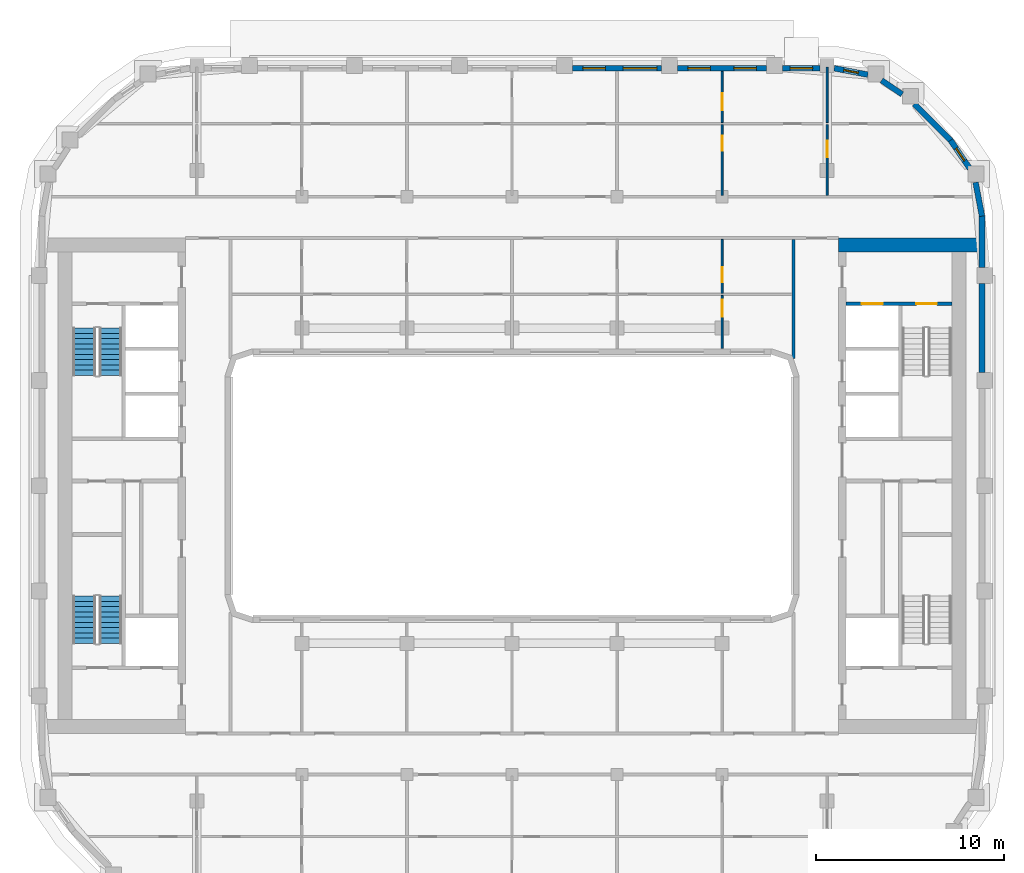
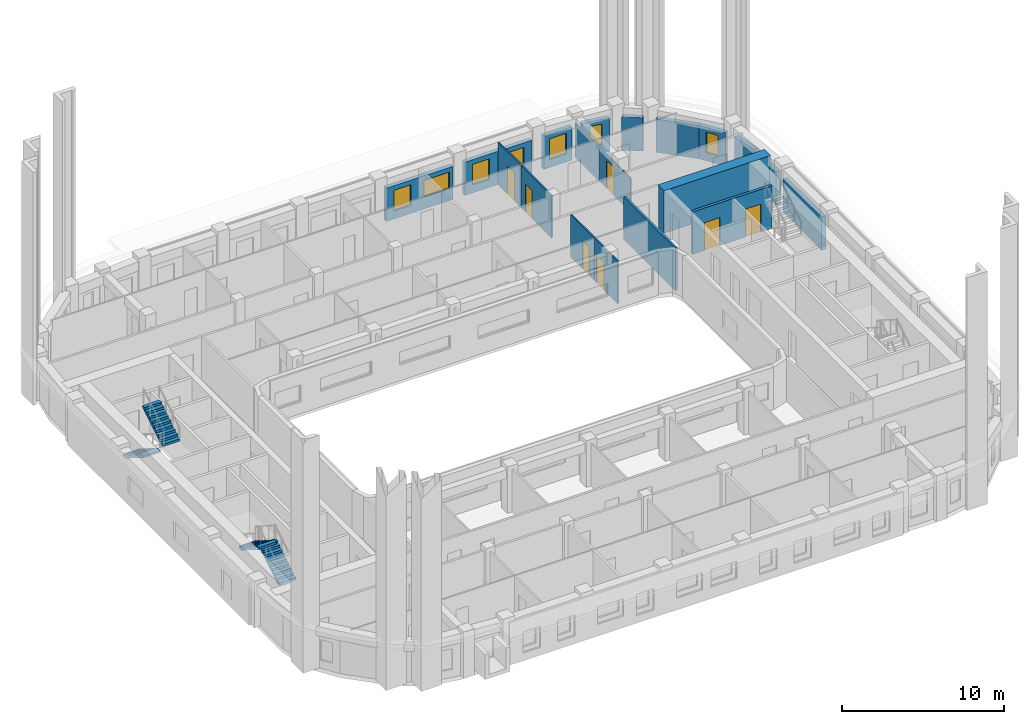
# One storey, part 8 of 21: 19 walls, 7 doors, 7 windows, 4 stair flights, 14 openings, 2 elements without a shape of their own.
"""IFC4 building model written with IfcOpenShell, lengths in metres."""

from ifc_helpers import new_model, si_unit, direction, frame, frame_2d, origin, place, context, subcontext, project, spatial, polyline, rectangle, outline, extrude, material, layer, layer_set, type_object, element, fill, aggregate, save


model = new_model("IFC4")

# Units and contexts
model_context = context("Model", 3, precision=1e-05, world=origin(), true_north=direction((0.0, 1.0)))
body_context = subcontext(model_context, "Body", "Model", "MODEL_VIEW")
ifc_project = project(units=[si_unit("LENGTHUNIT", "METRE"), si_unit("AREAUNIT", "SQUARE_METRE"), si_unit("VOLUMEUNIT", "CUBIC_METRE"), si_unit("PLANEANGLEUNIT", "RADIAN"), si_unit("MASSUNIT", "GRAM", prefix="KILO")], contexts=[model_context])

# Site, building, storey
site_placement = place(None, origin())
site = spatial("IfcSite", under=ifc_project, at=site_placement, CompositionType="ELEMENT")
building_placement = place(site_placement, origin())
building = spatial("IfcBuilding", under=site, at=building_placement, Name="Kiln Ring Residences", CompositionType="ELEMENT")
storey_placement = place(building_placement, frame((0.0, 0.0, 213.39990234375)))
storey = spatial("IfcBuildingStorey", under=building, at=storey_placement, Name="L55", CompositionType="ELEMENT", Elevation=213.39990234375)

# Wall, openings, doors
ifc_material_1 = material(Name="Concrete C40/50", Category="concrete")
ifc_layer_1 = layer(ifc_material_1, 0.199951171875)
ifc_layer_set_1 = layer_set([ifc_layer_1], Name="CORE-WALL-RC200")
wall_type_1 = type_object("IfcWallType", Name="CORE-WALL-RC200", PredefinedType="SHEAR", material=ifc_layer_set_1)
wall_1_placement = place(storey_placement, frame((17.800048828125, 9.699951171875, 0.0), z_axis=(0.0, 0.0, 1.0), x_axis=(1.0, 0.0, 0.0)))
wall_1 = element("IfcWall", 1, at=wall_1_placement, inside=storey, type_object=wall_type_1, Name="Core wall east L55 9", PredefinedType="SHEAR", context=body_context, shape_type="SweptSolid", body=[
    extrude(rectangle(XDim=5.64990234375, YDim=0.199951171875, at=frame_2d((2.824951171875, 0.0))), origin(), (0.0, 0.0, 1.0), 3.2001953125),
])
opening_1_placement = place(wall_1_placement, frame((0.85009765625, 0.0, 0.0)))
opening_1 = element("IfcOpeningElement", 2, at=opening_1_placement, cuts=wall_1, Name="Opening L55-CE06", PredefinedType="OPENING", context=body_context, shape_type="SweptSolid", body=[
    extrude(rectangle(XDim=1.10009765625, YDim=2.10009765625, at=frame_2d((0.550048828125, 1.050048828125))), frame((0.0, 0.10986328125, 0.0), z_axis=(0.0, -1.0, 0.0), x_axis=(1.0, 0.0, 0.0)), (0.0, 0.0, 1.0), 0.219970703125),
])
opening_2_placement = place(wall_1_placement, frame((3.75, 0.0, 0.0)))
opening_2 = element("IfcOpeningElement", 3, at=opening_2_placement, cuts=wall_1, Name="Opening L55-CE09", PredefinedType="OPENING", context=body_context, shape_type="SweptSolid", body=[
    extrude(rectangle(XDim=1.10009765625, YDim=2.10009765625, at=frame_2d((0.550048828125, 1.050048828125))), frame((0.0, 0.10986328125, 0.0), z_axis=(0.0, -1.0, 0.0), x_axis=(1.0, 0.0, 0.0)), (0.0, 0.0, 1.0), 0.219970703125),
])
ifc_material_2 = material(Name="Steel door leaf", Category="steel")
door_type_1 = type_object("IfcDoorType", Name="CORE-DOOR-LD", OperationType="DOUBLE_DOOR_SLIDING", PredefinedType="DOOR", material=ifc_material_2)
door_1_placement = place(opening_1_placement, origin())
door_1 = element("IfcDoor", 4, at=door_1_placement, inside=storey, type_object=door_type_1, Name="LD E-FF L55-CE06", OperationType="DOUBLE_DOOR_SLIDING", OverallHeight=2.10009765625, OverallWidth=1.10009765625, PredefinedType="DOOR", context=body_context, shape_type="SweptSolid", body=[
    extrude(rectangle(XDim=1.10009765625, YDim=2.10009765625, at=frame_2d((0.550048828125, 1.050048828125))), frame((0.0, 0.02490234375, 0.0), z_axis=(0.0, -1.0, 0.0), x_axis=(1.0, 0.0, 0.0)), (0.0, 0.0, 1.0), 0.050048828125),
])
fill(opening_1, door_1)
ifc_material_3 = material(Name="Steel door leaf", Category="steel")
door_type_2 = type_object("IfcDoorType", Name="CORE-DOOR-STAIR", OperationType="SINGLE_SWING_LEFT", PredefinedType="DOOR", material=ifc_material_3)
door_2_placement = place(opening_2_placement, origin())
door_2 = element("IfcDoor", 5, at=door_2_placement, inside=storey, type_object=door_type_2, Name="Stair E-STN L55-CE09", OperationType="SINGLE_SWING_RIGHT", OverallHeight=2.10009765625, OverallWidth=1.10009765625, PredefinedType="DOOR", context=body_context, shape_type="SweptSolid", body=[
    extrude(rectangle(XDim=1.10009765625, YDim=2.10009765625, at=frame_2d((0.550048828125, 1.050048828125))), frame((0.0, 0.02490234375, 0.0), z_axis=(0.0, -1.0, 0.0), x_axis=(1.0, 0.0, 0.0)), (0.0, 0.0, 1.0), 0.050048828125),
])
fill(opening_2, door_2)

# Walls
ifc_material_4 = material(Name="Concrete C60/75", Category="concrete")
ifc_layer_2 = layer(ifc_material_4, 0.75)
ifc_layer_set_2 = layer_set([ifc_layer_2], Name="CORE-WALL-RC750")
wall_type_2 = type_object("IfcWallType", Name="CORE-WALL-RC750", PredefinedType="SHEAR", material=ifc_layer_set_2)
wall_2_placement = place(storey_placement, frame((17.39990234375, 12.824951171875, 0.0), z_axis=(0.0, 0.0, 1.0), x_axis=(1.0, 0.0, 0.0)))
element("IfcWall", 6, at=wall_2_placement, inside=storey, type_object=wall_type_2, Name="Core wall east L55 4", PredefinedType="SHEAR", context=body_context, shape_type="SweptSolid", body=[
    extrude(rectangle(XDim=7.60009765625, YDim=0.75, at=frame_2d((3.800048828125, 0.0))), origin(), (0.0, 0.0, 1.0), 3.2001953125),
])
ifc_material_5 = material(Name="Brick masonry, dark clay brick", Category="masonry")
ifc_layer_3 = layer(ifc_material_5, 0.300048828125)
ifc_layer_set_3 = layer_set([ifc_layer_3], Name="EW-300 BRICK WALL")
wall_type_3 = type_object("IfcWallType", Name="EW-300 BRICK WALL", PredefinedType="SOLIDWALL", material=ifc_layer_set_3)
wall_3_placement = place(storey_placement, frame((25.050048828125, 6.02490234375, 0.0), z_axis=(0.0, 0.0, 1.0), x_axis=(0.0, 1.0, 0.0)))
element("IfcWall", 7, at=wall_3_placement, inside=storey, type_object=wall_type_3, Name="Facade wall L55 20", PredefinedType="SOLIDWALL", context=body_context, shape_type="SweptSolid", body=[
    extrude(rectangle(XDim=4.75, YDim=0.300048828125, at=frame_2d((2.375, 0.0))), origin(), (0.0, 0.0, 1.0), 2.5),
])
wall_4_placement = place(storey_placement, frame((25.050048828125, 11.625, 0.0), z_axis=(0.0, 0.0, 1.0), x_axis=(0.0, 1.0, 0.0)))
element("IfcWall", 8, at=wall_4_placement, inside=storey, type_object=wall_type_3, Name="Facade wall L55 21", PredefinedType="SOLIDWALL", context=body_context, shape_type="SweptSolid", body=[
    extrude(rectangle(XDim=2.77490234375, YDim=0.300048828125, at=frame_2d((1.387451171875, 0.0))), origin(), (0.0, 0.0, 1.0), 2.5),
])
wall_5_placement = place(storey_placement, frame((25.052734375, 14.371826171875, 0.0), z_axis=(0.0, 0.0, 1.0), x_axis=(-0.187442908742, 0.982275499014, 0.0)))
element("IfcWall", 9, at=wall_5_placement, inside=storey, type_object=wall_type_3, Name="Facade wall L55 22", PredefinedType="SOLIDWALL", context=body_context, shape_type="SweptSolid", body=[
    extrude(rectangle(XDim=1.831298828125, YDim=0.300048828125, at=frame_2d((0.91552734375, 0.0))), origin(), (0.0, 0.0, 1.0), 2.5),
])

# Wall, opening, window
wall_6_placement = place(storey_placement, frame((24.408203125, 16.898193359375, 0.0), z_axis=(0.0, 0.0, 1.0), x_axis=(-0.562062033417, 0.827095079535, 0.0)))
wall_6 = element("IfcWall", 10, at=wall_6_placement, inside=storey, type_object=wall_type_3, Name="Facade wall L55 23", PredefinedType="SOLIDWALL", context=body_context, shape_type="SweptSolid", body=[
    extrude(rectangle(XDim=1.831298828125, YDim=0.300048828125, at=frame_2d((0.91552734375, 0.0))), origin(), (0.0, 0.0, 1.0), 2.5),
])
opening_3_placement = place(wall_6_placement, frame((0.515625, 0.0, 0.60009765625)))
opening_3 = element("IfcOpeningElement", 11, at=opening_3_placement, cuts=wall_6, Name="Opening W5", PredefinedType="OPENING", context=body_context, shape_type="SweptSolid", body=[
    extrude(rectangle(XDim=0.800048828125, YDim=1.550048828125, at=frame_2d((0.39990234375, 0.77490234375))), frame((0.0, 0.159912109375, 0.0), z_axis=(0.0, -1.0, 0.0), x_axis=(1.0, 0.0, 0.0)), (0.0, 0.0, 1.0), 0.320068359375),
])
ifc_material_6 = material(Name="Aluminium frame with double glazing", Category="aluminium")
window_type_1 = type_object("IfcWindowType", Name="WINDOW 800 x 1550", PartitioningType="SINGLE_PANEL", PredefinedType="WINDOW", material=ifc_material_6)
window_1_placement = place(opening_3_placement, origin())
window_1 = element("IfcWindow", 12, at=window_1_placement, inside=storey, type_object=window_type_1, Name="Window L55 17", OverallHeight=1.550048828125, OverallWidth=0.800048828125, PartitioningType="SINGLE_PANEL", PredefinedType="WINDOW", context=body_context, shape_type="SweptSolid", body=[
    extrude(rectangle(XDim=0.800048828125, YDim=1.550048828125, at=frame_2d((0.39990234375, 0.77490234375))), frame((0.0, 0.030029296875, 0.0), z_axis=(0.0, -1.0, 0.0), x_axis=(1.0, 0.0, 0.0)), (0.0, 0.0, 1.0), 0.06005859375),
])
fill(opening_3, window_1)

# Walls
wall_7_placement = place(storey_placement, frame((23.39697265625, 18.390869140625, 0.0), z_axis=(0.0, 0.0, 1.0), x_axis=(-0.707106781187, 0.707106781187, 0.0)))
element("IfcWall", 13, at=wall_7_placement, inside=storey, type_object=wall_type_3, Name="Facade wall L55 24", PredefinedType="SOLIDWALL", context=body_context, shape_type="SweptSolid", body=[
    extrude(rectangle(XDim=2.775146484375, YDim=0.300048828125, at=frame_2d((1.3876953125, 0.0))), origin(), (0.0, 0.0, 1.0), 2.5),
])
wall_8_placement = place(storey_placement, frame((20.7958984375, 20.862060546875, 0.0), z_axis=(0.0, 0.0, 1.0), x_axis=(-0.827035970432, 0.562149004813, 0.0)))
element("IfcWall", 14, at=wall_8_placement, inside=storey, type_object=wall_type_3, Name="Facade wall L55 25", PredefinedType="SOLIDWALL", context=body_context, shape_type="SweptSolid", body=[
    extrude(rectangle(XDim=1.3271484375, YDim=0.300048828125, at=frame_2d((0.66357421875, 0.0))), origin(), (0.0, 0.0, 1.0), 2.5),
])

# Wall, opening, window
wall_9_placement = place(storey_placement, frame((18.970703125, 21.90966796875, 0.0), z_axis=(0.0, 0.0, 1.0), x_axis=(-0.982300037503, 0.187314271538, 0.0)))
wall_9 = element("IfcWall", 15, at=wall_9_placement, inside=storey, type_object=wall_type_3, Name="Facade wall L55 26", PredefinedType="SOLIDWALL", context=body_context, shape_type="SweptSolid", body=[
    extrude(rectangle(XDim=1.831298828125, YDim=0.300048828125, at=frame_2d((0.91552734375, 0.0))), origin(), (0.0, 0.0, 1.0), 2.5),
])
opening_4_placement = place(wall_9_placement, frame((0.515625, 0.0, 0.60009765625)))
opening_4 = element("IfcOpeningElement", 16, at=opening_4_placement, cuts=wall_9, Name="Opening W5", PredefinedType="OPENING", context=body_context, shape_type="SweptSolid", body=[
    extrude(rectangle(XDim=0.800048828125, YDim=1.550048828125, at=frame_2d((0.39990234375, 0.77490234375))), frame((0.0, 0.159912109375, 0.0), z_axis=(0.0, -1.0, 0.0), x_axis=(1.0, 0.0, 0.0)), (0.0, 0.0, 1.0), 0.320068359375),
])
window_2_placement = place(opening_4_placement, origin())
window_2 = element("IfcWindow", 17, at=window_2_placement, inside=storey, type_object=window_type_1, Name="Window L55 18", OverallHeight=1.550048828125, OverallWidth=0.800048828125, PartitioningType="SINGLE_PANEL", PredefinedType="WINDOW", context=body_context, shape_type="SweptSolid", body=[
    extrude(rectangle(XDim=0.800048828125, YDim=1.550048828125, at=frame_2d((0.39990234375, 0.77490234375))), frame((0.0, 0.030029296875, 0.0), z_axis=(0.0, -1.0, 0.0), x_axis=(1.0, 0.0, 0.0)), (0.0, 0.0, 1.0), 0.06005859375),
])
fill(opening_4, window_2)

wall_10_placement = place(storey_placement, frame((16.425048828125, 22.25, 0.0), z_axis=(0.0, 0.0, 1.0), x_axis=(-1.0, 0.0, 0.0)))
wall_10 = element("IfcWall", 18, at=wall_10_placement, inside=storey, type_object=wall_type_3, Name="Facade wall L55 27", PredefinedType="SOLIDWALL", context=body_context, shape_type="SweptSolid", body=[
    extrude(rectangle(XDim=2.0, YDim=0.300048828125, at=frame_2d((1.0, 0.0))), origin(), (0.0, 0.0, 1.0), 2.5),
])
opening_5_placement = place(wall_10_placement, frame((0.39990234375, 0.0, 0.60009765625)))
opening_5 = element("IfcOpeningElement", 19, at=opening_5_placement, cuts=wall_10, Name="Opening W1", PredefinedType="OPENING", context=body_context, shape_type="SweptSolid", body=[
    extrude(rectangle(XDim=1.199951171875, YDim=1.550048828125, at=frame_2d((0.60009765625, 0.77490234375))), frame((0.0, 0.159912109375, 0.0), z_axis=(0.0, -1.0, 0.0), x_axis=(1.0, 0.0, 0.0)), (0.0, 0.0, 1.0), 0.320068359375),
])
ifc_material_7 = material(Name="Aluminium frame with double glazing", Category="aluminium")
window_type_2 = type_object("IfcWindowType", Name="WINDOW 1200 x 1550", PartitioningType="SINGLE_PANEL", PredefinedType="WINDOW", material=ifc_material_7)
window_3_placement = place(opening_5_placement, origin())
window_3 = element("IfcWindow", 20, at=window_3_placement, inside=storey, type_object=window_type_2, Name="Window L55 19", OverallHeight=1.550048828125, OverallWidth=1.199951171875, PartitioningType="SINGLE_PANEL", PredefinedType="WINDOW", context=body_context, shape_type="SweptSolid", body=[
    extrude(rectangle(XDim=1.199951171875, YDim=1.550048828125, at=frame_2d((0.60009765625, 0.77490234375))), frame((0.0, 0.030029296875, 0.0), z_axis=(0.0, -1.0, 0.0), x_axis=(1.0, 0.0, 0.0)), (0.0, 0.0, 1.0), 0.06005859375),
])
fill(opening_5, window_3)

# Wall, openings, windows
wall_11_placement = place(storey_placement, frame((13.574951171875, 22.25, 0.0), z_axis=(0.0, 0.0, 1.0), x_axis=(-1.0, 0.0, 0.0)))
wall_11 = element("IfcWall", 21, at=wall_11_placement, inside=storey, type_object=wall_type_3, Name="Facade wall L55 28", PredefinedType="SOLIDWALL", context=body_context, shape_type="SweptSolid", body=[
    extrude(rectangle(XDim=4.75, YDim=0.300048828125, at=frame_2d((2.375, 0.0))), origin(), (0.0, 0.0, 1.0), 2.5),
])
opening_6_placement = place(wall_11_placement, frame((0.550048828125, 0.0, 0.60009765625)))
opening_6 = element("IfcOpeningElement", 22, at=opening_6_placement, cuts=wall_11, Name="Opening W1", PredefinedType="OPENING", context=body_context, shape_type="SweptSolid", body=[
    extrude(rectangle(XDim=1.199951171875, YDim=1.550048828125, at=frame_2d((0.60009765625, 0.77490234375))), frame((0.0, 0.159912109375, 0.0), z_axis=(0.0, -1.0, 0.0), x_axis=(1.0, 0.0, 0.0)), (0.0, 0.0, 1.0), 0.320068359375),
])
opening_7_placement = place(wall_11_placement, frame((3.0, 0.0, 0.60009765625)))
opening_7 = element("IfcOpeningElement", 23, at=opening_7_placement, cuts=wall_11, Name="Opening W1", PredefinedType="OPENING", context=body_context, shape_type="SweptSolid", body=[
    extrude(rectangle(XDim=1.199951171875, YDim=1.550048828125, at=frame_2d((0.60009765625, 0.77490234375))), frame((0.0, 0.159912109375, 0.0), z_axis=(0.0, -1.0, 0.0), x_axis=(1.0, 0.0, 0.0)), (0.0, 0.0, 1.0), 0.320068359375),
])
window_4_placement = place(opening_6_placement, origin())
window_4 = element("IfcWindow", 24, at=window_4_placement, inside=storey, type_object=window_type_2, Name="Window L55 20", OverallHeight=1.550048828125, OverallWidth=1.199951171875, PartitioningType="SINGLE_PANEL", PredefinedType="WINDOW", context=body_context, shape_type="SweptSolid", body=[
    extrude(rectangle(XDim=1.199951171875, YDim=1.550048828125, at=frame_2d((0.60009765625, 0.77490234375))), frame((0.0, 0.030029296875, 0.0), z_axis=(0.0, -1.0, 0.0), x_axis=(1.0, 0.0, 0.0)), (0.0, 0.0, 1.0), 0.06005859375),
])
fill(opening_6, window_4)
window_5_placement = place(opening_7_placement, origin())
window_5 = element("IfcWindow", 25, at=window_5_placement, inside=storey, type_object=window_type_2, Name="Window L55 21", OverallHeight=1.550048828125, OverallWidth=1.199951171875, PartitioningType="SINGLE_PANEL", PredefinedType="WINDOW", context=body_context, shape_type="SweptSolid", body=[
    extrude(rectangle(XDim=1.199951171875, YDim=1.550048828125, at=frame_2d((0.60009765625, 0.77490234375))), frame((0.0, 0.030029296875, 0.0), z_axis=(0.0, -1.0, 0.0), x_axis=(1.0, 0.0, 0.0)), (0.0, 0.0, 1.0), 0.06005859375),
])
fill(opening_7, window_5)

wall_12_placement = place(storey_placement, frame((7.97509765625, 22.25, 0.0), z_axis=(0.0, 0.0, 1.0), x_axis=(-1.0, 0.0, 0.0)))
wall_12 = element("IfcWall", 26, at=wall_12_placement, inside=storey, type_object=wall_type_3, Name="Facade wall L55 29", PredefinedType="SOLIDWALL", context=body_context, shape_type="SweptSolid", body=[
    extrude(rectangle(XDim=4.75, YDim=0.300048828125, at=frame_2d((2.375, 0.0))), origin(), (0.0, 0.0, 1.0), 2.5),
])
opening_8_placement = place(wall_12_placement, frame((0.25, 0.0, 0.89990234375)))
opening_8 = element("IfcOpeningElement", 27, at=opening_8_placement, cuts=wall_12, Name="Opening W2", PredefinedType="OPENING", context=body_context, shape_type="SweptSolid", body=[
    extrude(rectangle(XDim=1.800048828125, YDim=1.25, at=frame_2d((0.89990234375, 0.625))), frame((0.0, 0.159912109375, 0.0), z_axis=(0.0, -1.0, 0.0), x_axis=(1.0, 0.0, 0.0)), (0.0, 0.0, 1.0), 0.320068359375),
])
opening_9_placement = place(wall_12_placement, frame((3.0, 0.0, 0.60009765625)))
opening_9 = element("IfcOpeningElement", 28, at=opening_9_placement, cuts=wall_12, Name="Opening W1", PredefinedType="OPENING", context=body_context, shape_type="SweptSolid", body=[
    extrude(rectangle(XDim=1.199951171875, YDim=1.550048828125, at=frame_2d((0.60009765625, 0.77490234375))), frame((0.0, 0.159912109375, 0.0), z_axis=(0.0, -1.0, 0.0), x_axis=(1.0, 0.0, 0.0)), (0.0, 0.0, 1.0), 0.320068359375),
])
window_6_placement = place(opening_9_placement, origin())
window_6 = element("IfcWindow", 29, at=window_6_placement, inside=storey, type_object=window_type_2, Name="Window L55 23", OverallHeight=1.550048828125, OverallWidth=1.199951171875, PartitioningType="SINGLE_PANEL", PredefinedType="WINDOW", context=body_context, shape_type="SweptSolid", body=[
    extrude(rectangle(XDim=1.199951171875, YDim=1.550048828125, at=frame_2d((0.60009765625, 0.77490234375))), frame((0.0, 0.030029296875, 0.0), z_axis=(0.0, -1.0, 0.0), x_axis=(1.0, 0.0, 0.0)), (0.0, 0.0, 1.0), 0.06005859375),
])
fill(opening_9, window_6)
ifc_material_8 = material(Name="Aluminium frame with double glazing", Category="aluminium")
window_type_3 = type_object("IfcWindowType", Name="WINDOW 1800 x 1250", PartitioningType="SINGLE_PANEL", PredefinedType="WINDOW", material=ifc_material_8)
window_7_placement = place(opening_8_placement, origin())
window_7 = element("IfcWindow", 30, at=window_7_placement, inside=storey, type_object=window_type_3, Name="Window L55 22", OverallHeight=1.25, OverallWidth=1.800048828125, PartitioningType="SINGLE_PANEL", PredefinedType="WINDOW", context=body_context, shape_type="SweptSolid", body=[
    extrude(rectangle(XDim=1.800048828125, YDim=1.25, at=frame_2d((0.89990234375, 0.625))), frame((0.0, 0.030029296875, 0.0), z_axis=(0.0, -1.0, 0.0), x_axis=(1.0, 0.0, 0.0)), (0.0, 0.0, 1.0), 0.06005859375),
])
fill(opening_8, window_7)

# Wall, opening, door
ifc_material_9 = material(Name="Gypsum board on steel studs", Category="steel")
ifc_layer_4 = layer(ifc_material_9, 0.10009765625)
ifc_layer_set_4 = layer_set([ifc_layer_4], Name="PARTITION-100")
wall_type_4 = type_object("IfcWallType", Name="PARTITION-100", PredefinedType="PARTITIONING", material=ifc_layer_set_4)
wall_13_placement = place(storey_placement, frame((11.199951171875, 7.320068359375, 0.0), z_axis=(0.0, 0.0, 1.0), x_axis=(0.0, 1.0, 0.0)))
wall_13 = element("IfcWall", 31, at=wall_13_placement, inside=storey, type_object=wall_type_4, Name="Partition 044", PredefinedType="PARTITIONING", context=body_context, shape_type="SweptSolid", body=[
    extrude(rectangle(XDim=2.829833984375, YDim=0.10009765625, at=frame_2d((1.4150390625, 0.0))), origin(), (0.0, 0.0, 1.0), 3.2001953125),
])
opening_10_placement = place(wall_13_placement, frame((1.699951171875, 0.0, 0.0)))
opening_10 = element("IfcOpeningElement", 32, at=opening_10_placement, cuts=wall_13, Name="Opening L55-D016", PredefinedType="OPENING", context=body_context, shape_type="SweptSolid", body=[
    extrude(rectangle(XDim=0.89990234375, YDim=2.10009765625, at=frame_2d((0.449951171875, 1.050048828125))), frame((0.0, 0.06005859375, 0.0), z_axis=(0.0, -1.0, 0.0), x_axis=(1.0, 0.0, 0.0)), (0.0, 0.0, 1.0), 0.1201171875),
])
ifc_material_10 = material(Name="Timber door leaf", Category="wood")
door_type_3 = type_object("IfcDoorType", Name="FLAT-DOOR-900-PL", OperationType="SINGLE_SWING_LEFT", PredefinedType="DOOR", material=ifc_material_10)
door_3_placement = place(opening_10_placement, origin())
door_3 = element("IfcDoor", 33, at=door_3_placement, inside=storey, type_object=door_type_3, Name="Door L55-D016", OperationType="SINGLE_SWING_RIGHT", OverallHeight=2.10009765625, OverallWidth=0.89990234375, PredefinedType="DOOR", context=body_context, shape_type="SweptSolid", body=[
    extrude(rectangle(XDim=0.89990234375, YDim=2.10009765625, at=frame_2d((0.449951171875, 1.050048828125))), frame((0.0, 0.02490234375, 0.0), z_axis=(0.0, -1.0, 0.0), x_axis=(1.0, 0.0, 0.0)), (0.0, 0.0, 1.0), 0.050048828125),
])
fill(opening_10, door_3)

wall_14_placement = place(storey_placement, frame((11.199951171875, 10.25, 0.0), z_axis=(0.0, 0.0, 1.0), x_axis=(0.0, 1.0, 0.0)))
wall_14 = element("IfcWall", 34, at=wall_14_placement, inside=storey, type_object=wall_type_4, Name="Partition 045", PredefinedType="PARTITIONING", context=body_context, shape_type="SweptSolid", body=[
    extrude(rectangle(XDim=2.875, YDim=0.10009765625, at=frame_2d((1.4375, 0.0))), origin(), (0.0, 0.0, 1.0), 3.2001953125),
])
opening_11_placement = place(wall_14_placement, frame((0.60009765625, 0.0, 0.0)))
opening_11 = element("IfcOpeningElement", 35, at=opening_11_placement, cuts=wall_14, Name="Opening L55-D013", PredefinedType="OPENING", context=body_context, shape_type="SweptSolid", body=[
    extrude(rectangle(XDim=0.800048828125, YDim=2.10009765625, at=frame_2d((0.39990234375, 1.050048828125))), frame((0.0, 0.06005859375, 0.0), z_axis=(0.0, -1.0, 0.0), x_axis=(1.0, 0.0, 0.0)), (0.0, 0.0, 1.0), 0.1201171875),
])
ifc_material_11 = material(Name="Timber door leaf", Category="wood")
door_type_4 = type_object("IfcDoorType", Name="FLAT-DOOR-800-PL", OperationType="SINGLE_SWING_LEFT", PredefinedType="DOOR", material=ifc_material_11)
door_4_placement = place(opening_11_placement, origin())
door_4 = element("IfcDoor", 36, at=door_4_placement, inside=storey, type_object=door_type_4, Name="Door L55-D013", OperationType="SINGLE_SWING_LEFT", OverallHeight=2.10009765625, OverallWidth=0.800048828125, PredefinedType="DOOR", context=body_context, shape_type="SweptSolid", body=[
    extrude(rectangle(XDim=0.800048828125, YDim=2.10009765625, at=frame_2d((0.39990234375, 1.050048828125))), frame((0.0, 0.02490234375, 0.0), z_axis=(0.0, -1.0, 0.0), x_axis=(1.0, 0.0, 0.0)), (0.0, 0.0, 1.0), 0.050048828125),
])
fill(opening_11, door_4)

wall_15_placement = place(storey_placement, frame((11.199951171875, 15.47509765625, 0.0), z_axis=(0.0, 0.0, 1.0), x_axis=(0.0, 1.0, 0.0)))
wall_15 = element("IfcWall", 37, at=wall_15_placement, inside=storey, type_object=wall_type_4, Name="Partition 046", PredefinedType="PARTITIONING", context=body_context, shape_type="SweptSolid", body=[
    extrude(rectangle(XDim=3.77490234375, YDim=0.10009765625, at=frame_2d((1.887451171875, 0.0))), origin(), (0.0, 0.0, 1.0), 3.2001953125),
])
opening_12_placement = place(wall_15_placement, frame((2.375, 0.0, 0.0)))
opening_12 = element("IfcOpeningElement", 38, at=opening_12_placement, cuts=wall_15, Name="Opening L55-D029", PredefinedType="OPENING", context=body_context, shape_type="SweptSolid", body=[
    extrude(rectangle(XDim=0.800048828125, YDim=2.10009765625, at=frame_2d((0.39990234375, 1.050048828125))), frame((0.0, 0.06005859375, 0.0), z_axis=(0.0, -1.0, 0.0), x_axis=(1.0, 0.0, 0.0)), (0.0, 0.0, 1.0), 0.1201171875),
])
door_5_placement = place(opening_12_placement, origin())
door_5 = element("IfcDoor", 39, at=door_5_placement, inside=storey, type_object=door_type_4, Name="Door L55-D029", OperationType="SINGLE_SWING_LEFT", OverallHeight=2.10009765625, OverallWidth=0.800048828125, PredefinedType="DOOR", context=body_context, shape_type="SweptSolid", body=[
    extrude(rectangle(XDim=0.800048828125, YDim=2.10009765625, at=frame_2d((0.39990234375, 1.050048828125))), frame((0.0, 0.02490234375, 0.0), z_axis=(0.0, -1.0, 0.0), x_axis=(1.0, 0.0, 0.0)), (0.0, 0.0, 1.0), 0.050048828125),
])
fill(opening_12, door_5)

wall_16_placement = place(storey_placement, frame((11.199951171875, 19.35009765625, 0.0), z_axis=(0.0, 0.0, 1.0), x_axis=(0.0, 1.0, 0.0)))
wall_16 = element("IfcWall", 40, at=wall_16_placement, inside=storey, type_object=wall_type_4, Name="Partition 047", PredefinedType="PARTITIONING", context=body_context, shape_type="SweptSolid", body=[
    extrude(rectangle(XDim=2.72998046875, YDim=0.10009765625, at=frame_2d((1.364990234375, 0.0))), origin(), (0.0, 0.0, 1.0), 3.2001953125),
])
opening_13_placement = place(wall_16_placement, frame((0.659912109375, 0.0, 0.0)))
opening_13 = element("IfcOpeningElement", 41, at=opening_13_placement, cuts=wall_16, Name="Opening L55-D032", PredefinedType="OPENING", context=body_context, shape_type="SweptSolid", body=[
    extrude(rectangle(XDim=0.89990234375, YDim=2.10009765625, at=frame_2d((0.449951171875, 1.050048828125))), frame((0.0, 0.06005859375, 0.0), z_axis=(0.0, -1.0, 0.0), x_axis=(1.0, 0.0, 0.0)), (0.0, 0.0, 1.0), 0.1201171875),
])
door_6_placement = place(opening_13_placement, origin())
door_6 = element("IfcDoor", 42, at=door_6_placement, inside=storey, type_object=door_type_3, Name="Door L55-D032", OperationType="SINGLE_SWING_RIGHT", OverallHeight=2.10009765625, OverallWidth=0.89990234375, PredefinedType="DOOR", context=body_context, shape_type="SweptSolid", body=[
    extrude(rectangle(XDim=0.89990234375, YDim=2.10009765625, at=frame_2d((0.449951171875, 1.050048828125))), frame((0.0, 0.02490234375, 0.0), z_axis=(0.0, -1.0, 0.0), x_axis=(1.0, 0.0, 0.0)), (0.0, 0.0, 1.0), 0.050048828125),
])
fill(opening_13, door_6)

wall_17_placement = place(storey_placement, frame((16.800048828125, 15.47509765625, 0.0), z_axis=(0.0, 0.0, 1.0), x_axis=(0.0, 1.0, 0.0)))
wall_17 = element("IfcWall", 43, at=wall_17_placement, inside=storey, type_object=wall_type_4, Name="Partition 052", PredefinedType="PARTITIONING", context=body_context, shape_type="SweptSolid", body=[
    extrude(rectangle(XDim=3.77490234375, YDim=0.10009765625, at=frame_2d((1.887451171875, 0.0))), origin(), (0.0, 0.0, 1.0), 2.550048828125),
])
opening_14_placement = place(wall_17_placement, frame((2.02490234375, 0.0, 0.0)))
opening_14 = element("IfcOpeningElement", 44, at=opening_14_placement, cuts=wall_17, Name="Opening L55-D028", PredefinedType="OPENING", context=body_context, shape_type="SweptSolid", body=[
    extrude(rectangle(XDim=0.89990234375, YDim=2.10009765625, at=frame_2d((0.449951171875, 1.050048828125))), frame((0.0, 0.06005859375, 0.0), z_axis=(0.0, -1.0, 0.0), x_axis=(1.0, 0.0, 0.0)), (0.0, 0.0, 1.0), 0.1201171875),
])
door_7_placement = place(opening_14_placement, origin())
door_7 = element("IfcDoor", 45, at=door_7_placement, inside=storey, type_object=door_type_3, Name="Door L55-D028", OperationType="SINGLE_SWING_LEFT", OverallHeight=2.10009765625, OverallWidth=0.89990234375, PredefinedType="DOOR", context=body_context, shape_type="SweptSolid", body=[
    extrude(rectangle(XDim=0.89990234375, YDim=2.10009765625, at=frame_2d((0.449951171875, 1.050048828125))), frame((0.0, 0.02490234375, 0.0), z_axis=(0.0, -1.0, 0.0), x_axis=(1.0, 0.0, 0.0)), (0.0, 0.0, 1.0), 0.050048828125),
])
fill(opening_14, door_7)

# Walls
wall_18_placement = place(storey_placement, frame((16.800048828125, 19.35009765625, 0.0), z_axis=(0.0, 0.0, 1.0), x_axis=(0.0, 1.0, 0.0)))
element("IfcWall", 46, at=wall_18_placement, inside=storey, type_object=wall_type_4, Name="Partition 053", PredefinedType="PARTITIONING", context=body_context, shape_type="SweptSolid", body=[
    extrude(rectangle(XDim=2.9599609375, YDim=0.10009765625, at=frame_2d((1.47998046875, 0.0))), origin(), (0.0, 0.0, 1.0), 2.550048828125),
])
ifc_material_12 = material(Name="Brick masonry partition", Category="masonry")
ifc_layer_5 = layer(ifc_material_12, 0.14990234375)
ifc_layer_set_5 = layer_set([ifc_layer_5], Name="PARTITION-150-ei60")
wall_type_5 = type_object("IfcWallType", Name="PARTITION-150-ei60", PredefinedType="PARTITIONING", material=ifc_layer_set_5)
wall_19_placement = place(storey_placement, frame((15.0, 6.768798828125, 0.0), z_axis=(0.0, 0.0, 1.0), x_axis=(0.0, 1.0, 0.0)))
element("IfcWall", 47, at=wall_19_placement, inside=storey, type_object=wall_type_5, Name="Partition 049", PredefinedType="PARTITIONING", context=body_context, shape_type="SweptSolid", body=[
    extrude(rectangle(XDim=6.356201171875, YDim=0.14990234375, at=frame_2d((3.17822265625, 0.0))), origin(), (0.0, 0.0, 1.0), 3.2001953125),
])

# Stair, stair flights
ifc_material_13 = material(Name="Concrete C40/50", Category="concrete")
stair_type = type_object("IfcStairType", Name="CORE-STAIR", PredefinedType="HALF_TURN_STAIR", material=ifc_material_13)
placement = place(storey_placement, origin())
stair_1 = element("IfcStair", 48, at=placement, inside=storey, type_object=stair_type, Name="L55 stair W-STN", PredefinedType="HALF_TURN_STAIR")
ifc_material_14 = material(Name="Concrete C40/50", Category="concrete")
stair_flight_type = type_object("IfcStairFlightType", Name="CORE-STAIR-FLIGHT", PredefinedType="STRAIGHT", material=ifc_material_14)
stair_flight_1_placement = place(storey_placement, frame((-22.800048828125, 8.39990234375, 0.0), z_axis=(0.0, 0.0, 1.0), x_axis=(0.0, -1.0, 0.0)))
stair_flight_1 = element("IfcStairFlight", 49, at=stair_flight_1_placement, type_object=stair_flight_type, Name="W-STN flight 1", NumberOfRisers=10, NumberOfTreads=9, PredefinedType="STRAIGHT", RiserHeight=0.175, TreadLength=0.28, context=body_context, shape_type="SweptSolid", body=[
    extrude(outline(polyline([(0.0, 0.0), (0.0, 0.175048828125), (0.280029296875, 0.175048828125), (0.280029296875, 0.35009765625), (0.56005859375, 0.35009765625), (0.56005859375, 0.52490234375), (0.840087890625, 0.52490234375), (0.840087890625, 0.699951171875), (1.1201171875, 0.699951171875), (1.1201171875, 0.875), (1.39990234375, 0.875), (1.39990234375, 1.050048828125), (1.679931640625, 1.050048828125), (1.679931640625, 1.22509765625), (1.9599609375, 1.22509765625), (1.9599609375, 1.39990234375), (2.239990234375, 1.39990234375), (2.239990234375, 1.574951171875), (2.52001953125, 1.574951171875), (2.52001953125, 1.75), (2.52001953125, 1.398193359375), (0.28271484375, 0.0), (0.0, 0.0)])), frame((0.0, 0.60009765625, 0.0), z_axis=(0.0, -1.0, 0.0), x_axis=(1.0, 0.0, 0.0)), (0.0, 0.0, 1.0), 1.199951171875),
])
stair_flight_2_placement = place(storey_placement, frame((-21.39990234375, 5.8798828125, 1.75), z_axis=(0.0, 0.0, 1.0), x_axis=(0.0, 1.0, 0.0)))
stair_flight_2 = element("IfcStairFlight", 50, at=stair_flight_2_placement, type_object=stair_flight_type, Name="W-STN flight 2", NumberOfRisers=10, NumberOfTreads=9, PredefinedType="STRAIGHT", RiserHeight=0.175, TreadLength=0.28, context=body_context, shape_type="SweptSolid", body=[
    extrude(outline(polyline([(0.0, 0.0), (0.0, 0.175048828125), (0.280029296875, 0.175048828125), (0.280029296875, 0.35009765625), (0.56005859375, 0.35009765625), (0.56005859375, 0.52490234375), (0.840087890625, 0.52490234375), (0.840087890625, 0.699951171875), (1.1201171875, 0.699951171875), (1.1201171875, 0.875), (1.39990234375, 0.875), (1.39990234375, 1.050048828125), (1.679931640625, 1.050048828125), (1.679931640625, 1.22509765625), (1.9599609375, 1.22509765625), (1.9599609375, 1.39990234375), (2.239990234375, 1.39990234375), (2.239990234375, 1.574951171875), (2.52001953125, 1.574951171875), (2.52001953125, 1.75), (2.52001953125, 1.398193359375), (0.28271484375, 0.0), (0.0, 0.0)])), frame((0.0, 0.60009765625, 0.0), z_axis=(0.0, -1.0, 0.0), x_axis=(1.0, 0.0, 0.0)), (0.0, 0.0, 1.0), 1.199951171875),
])
aggregate(stair_1, [stair_flight_1, stair_flight_2])

stair_2 = element("IfcStair", 51, at=placement, inside=storey, type_object=stair_type, Name="L55 stair W-STS", PredefinedType="HALF_TURN_STAIR")
stair_flight_3_placement = place(storey_placement, frame((-21.39990234375, -8.39990234375, 0.0), z_axis=(0.0, 0.0, 1.0), x_axis=(0.0, 1.0, 0.0)))
stair_flight_3 = element("IfcStairFlight", 52, at=stair_flight_3_placement, type_object=stair_flight_type, Name="W-STS flight 1", NumberOfRisers=10, NumberOfTreads=9, PredefinedType="STRAIGHT", RiserHeight=0.175, TreadLength=0.28, context=body_context, shape_type="SweptSolid", body=[
    extrude(outline(polyline([(0.0, 0.0), (0.0, 0.175048828125), (0.280029296875, 0.175048828125), (0.280029296875, 0.35009765625), (0.56005859375, 0.35009765625), (0.56005859375, 0.52490234375), (0.840087890625, 0.52490234375), (0.840087890625, 0.699951171875), (1.1201171875, 0.699951171875), (1.1201171875, 0.875), (1.39990234375, 0.875), (1.39990234375, 1.050048828125), (1.679931640625, 1.050048828125), (1.679931640625, 1.22509765625), (1.9599609375, 1.22509765625), (1.9599609375, 1.39990234375), (2.239990234375, 1.39990234375), (2.239990234375, 1.574951171875), (2.52001953125, 1.574951171875), (2.52001953125, 1.75), (2.52001953125, 1.398193359375), (0.28271484375, 0.0), (0.0, 0.0)])), frame((0.0, 0.60009765625, 0.0), z_axis=(0.0, -1.0, 0.0), x_axis=(1.0, 0.0, 0.0)), (0.0, 0.0, 1.0), 1.199951171875),
])
stair_flight_4_placement = place(storey_placement, frame((-22.800048828125, -5.8798828125, 1.75), z_axis=(0.0, 0.0, 1.0), x_axis=(0.0, -1.0, 0.0)))
stair_flight_4 = element("IfcStairFlight", 53, at=stair_flight_4_placement, type_object=stair_flight_type, Name="W-STS flight 2", NumberOfRisers=10, NumberOfTreads=9, PredefinedType="STRAIGHT", RiserHeight=0.175, TreadLength=0.28, context=body_context, shape_type="SweptSolid", body=[
    extrude(outline(polyline([(0.0, 0.0), (0.0, 0.175048828125), (0.280029296875, 0.175048828125), (0.280029296875, 0.35009765625), (0.56005859375, 0.35009765625), (0.56005859375, 0.52490234375), (0.840087890625, 0.52490234375), (0.840087890625, 0.699951171875), (1.1201171875, 0.699951171875), (1.1201171875, 0.875), (1.39990234375, 0.875), (1.39990234375, 1.050048828125), (1.679931640625, 1.050048828125), (1.679931640625, 1.22509765625), (1.9599609375, 1.22509765625), (1.9599609375, 1.39990234375), (2.239990234375, 1.39990234375), (2.239990234375, 1.574951171875), (2.52001953125, 1.574951171875), (2.52001953125, 1.75), (2.52001953125, 1.398193359375), (0.28271484375, 0.0), (0.0, 0.0)])), frame((0.0, 0.60009765625, 0.0), z_axis=(0.0, -1.0, 0.0), x_axis=(1.0, 0.0, 0.0)), (0.0, 0.0, 1.0), 1.199951171875),
])
aggregate(stair_2, [stair_flight_3, stair_flight_4])

save(model, "model.ifc")
